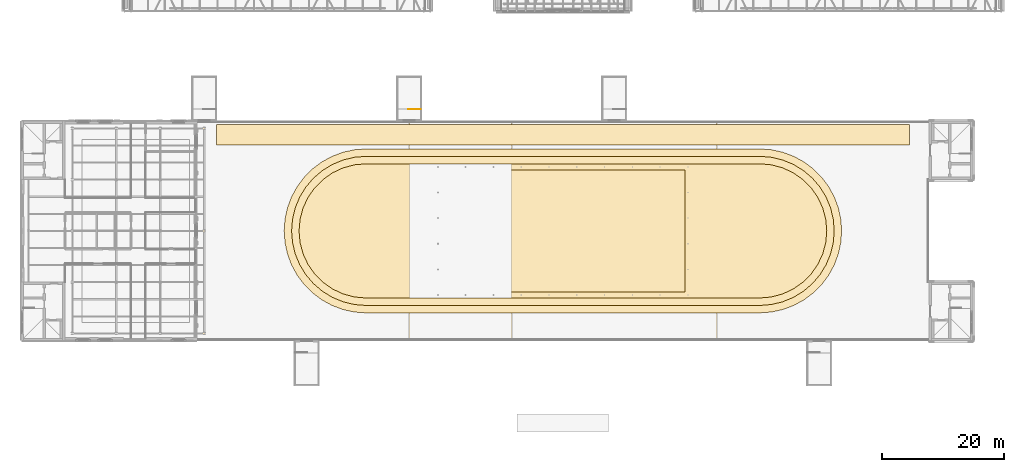
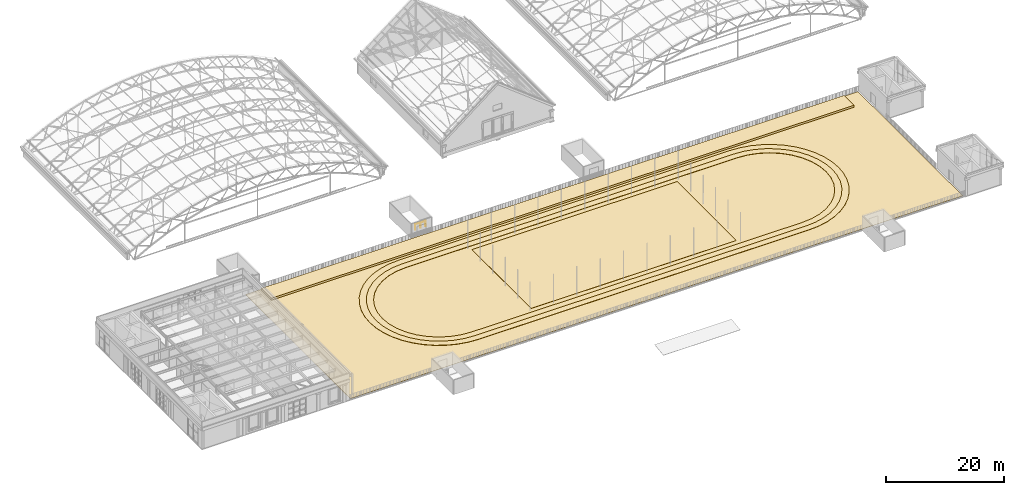
# One storey, part 122 of 127: 6 coverings, 1 railing.
"""IFC4 building model written with IfcOpenShell, lengths in metres."""

from ifc_helpers import new_model, si_unit, direction, frame, origin, origin_2d, place, context, subcontext, project, spatial, polyline, circle, outline, extrude, material, layer, layer_set, type_object, element, save


model = new_model("IFC4")

# Units and contexts
model_context = context("Model", 3, precision=1e-05, world=origin(), true_north=direction((0.0, 1.0)))
body_context = subcontext(model_context, "Body", "Model", "MODEL_VIEW")
ifc_project = project(units=[si_unit("LENGTHUNIT", "METRE"), si_unit("AREAUNIT", "SQUARE_METRE"), si_unit("VOLUMEUNIT", "CUBIC_METRE"), si_unit("PLANEANGLEUNIT", "RADIAN"), si_unit("MASSUNIT", "GRAM", prefix="KILO")], contexts=[model_context])

# Site, building, storey
site_placement = place(None, origin())
site = spatial("IfcSite", under=ifc_project, at=site_placement, CompositionType="ELEMENT")
building_placement = place(site_placement, origin())
building = spatial("IfcBuilding", under=site, at=building_placement, Name="Verrick Yard Athletic Hall", CompositionType="ELEMENT")
storey_placement = place(building_placement, frame((0.0, 0.0, 14.0)))
storey = spatial("IfcBuildingStorey", under=building, at=storey_placement, Name="L03", CompositionType="ELEMENT", Elevation=14.0)

# Coverings
ifc_material_1 = material(Name="Precast concrete paving slabs", Category="concrete")
ifc_layer_1 = layer(ifc_material_1, 0.0400390625)
ifc_layer_set_1 = layer_set([ifc_layer_1], Name="Deck paving")
covering_type_1 = type_object("IfcCoveringType", Name="Deck paving", PredefinedType="FLOORING", material=ifc_layer_set_1)
covering_1_placement = place(storey_placement, origin())
element("IfcCovering", 1, at=covering_1_placement, inside=storey, type_object=covering_type_1, Name="Deck paving 1", PredefinedType="FLOORING", context=body_context, shape_type="SweptSolid", body=[
    extrude(outline(polyline([(39.10009765625, 53.699951171875), (158.5, 53.699951171875), (158.5, 18.300048828125), (39.10009765625, 18.300048828125), (39.10009765625, 53.699951171875)]), holes=[polyline([(132.962646484375, 22.69677734375), (134.83642578125, 23.1044921875), (136.63330078125, 23.7744140625), (138.316162109375, 24.693603515625), (139.851318359375, 25.8427734375), (141.207275390625, 27.19873046875), (142.3564453125, 28.73388671875), (143.275390625, 30.416748046875), (143.945556640625, 32.21337890625), (144.353271484375, 34.08740234375), (144.489990234375, 36.0), (144.353271484375, 37.91259765625), (143.945556640625, 39.78662109375), (143.275390625, 41.583251953125), (142.3564453125, 43.26611328125), (141.207275390625, 44.80126953125), (139.851318359375, 46.1572265625), (138.316162109375, 47.306396484375), (136.63330078125, 48.2255859375), (134.83642578125, 48.8955078125), (132.962646484375, 49.30322265625), (131.050048828125, 49.43994140625), (66.550048828125, 49.43994140625), (64.63720703125, 49.30322265625), (62.763427734375, 48.8955078125), (60.966796875, 48.2255859375), (59.28369140625, 47.306396484375), (57.748779296875, 46.1572265625), (56.392578125, 44.80126953125), (55.24365234375, 43.26611328125), (54.324462890625, 41.583251953125), (53.654296875, 39.78662109375), (53.246826171875, 37.91259765625), (53.110107421875, 36.0), (53.246826171875, 34.08740234375), (53.654296875, 32.21337890625), (54.324462890625, 30.416748046875), (55.24365234375, 28.73388671875), (56.392578125, 27.19873046875), (57.748779296875, 25.8427734375), (59.28369140625, 24.693603515625), (60.966796875, 23.7744140625), (62.763427734375, 23.1044921875), (64.63720703125, 22.69677734375), (66.550048828125, 22.56005859375), (131.050048828125, 22.56005859375), (132.962646484375, 22.69677734375)]), polyline([(155.60009765625, 53.39990234375), (42.0, 53.39990234375), (42.0, 50.0400390625), (155.60009765625, 50.0400390625), (155.60009765625, 53.39990234375)])]), origin(), (0.0, 0.0, 1.0), 0.0400390625),
])
ifc_material_2 = material(Name="Artificial turf")
ifc_layer_2 = layer(ifc_material_2, 0.0400390625)
ifc_layer_set_2 = layer_set([ifc_layer_2], Name="Infield surface")
covering_type_2 = type_object("IfcCoveringType", Name="Infield surface", PredefinedType="FLOORING", material=ifc_layer_set_2)
covering_2_placement = place(storey_placement, origin())
element("IfcCovering", 2, at=covering_2_placement, inside=storey, type_object=covering_type_2, Name="Infield surface 1", PredefinedType="FLOORING", context=body_context, shape_type="SweptSolid", body=[
    extrude(outline(polyline([(64.639892578125, 25.1669921875), (62.787841796875, 25.663330078125), (61.050048828125, 26.4736328125), (59.479248046875, 27.573486328125), (58.12353515625, 28.92919921875), (57.023681640625, 30.5), (56.21337890625, 32.23779296875), (55.717041015625, 34.08984375), (55.550048828125, 36.0), (55.717041015625, 37.91015625), (56.21337890625, 39.76220703125), (57.023681640625, 41.5), (58.12353515625, 43.07080078125), (59.479248046875, 44.426513671875), (61.050048828125, 45.5263671875), (62.787841796875, 46.336669921875), (64.639892578125, 46.8330078125), (66.550048828125, 47.0), (131.050048828125, 47.0), (132.960205078125, 46.8330078125), (134.812255859375, 46.336669921875), (136.550048828125, 45.5263671875), (138.12060546875, 44.426513671875), (139.4765625, 43.07080078125), (140.576416015625, 41.5), (141.38671875, 39.76220703125), (141.8828125, 37.91015625), (142.050048828125, 36.0), (141.8828125, 34.08984375), (141.38671875, 32.23779296875), (140.576416015625, 30.5), (139.4765625, 28.92919921875), (138.12060546875, 27.573486328125), (136.550048828125, 26.4736328125), (134.812255859375, 25.663330078125), (132.960205078125, 25.1669921875), (131.050048828125, 25.0), (66.550048828125, 25.0), (64.639892578125, 25.1669921875)]), holes=[polyline([(118.800048828125, 46.0), (78.800048828125, 46.0), (78.800048828125, 26.0), (118.800048828125, 26.0), (118.800048828125, 46.0)])]), origin(), (0.0, 0.0, 1.0), 0.0400390625),
])
ifc_layer_3 = layer(ifc_material_2, 0.06005859375)
ifc_layer_set_3 = layer_set([ifc_layer_3], Name="Pitch surface")
covering_type_3 = type_object("IfcCoveringType", Name="Pitch surface", PredefinedType="FLOORING", material=ifc_layer_set_3)
covering_3_placement = place(storey_placement, origin())
element("IfcCovering", 3, at=covering_3_placement, inside=storey, type_object=covering_type_3, Name="Roof pitch surface", PredefinedType="FLOORING", context=body_context, shape_type="SweptSolid", body=[
    extrude(outline(polyline([(78.800048828125, 26.0), (118.800048828125, 26.0), (118.800048828125, 46.0), (78.800048828125, 46.0), (78.800048828125, 26.0)])), origin(), (0.0, 0.0, 1.0), 0.06005859375),
])
ifc_material_3 = material(Name="Planting substrate")
ifc_layer_4 = layer(ifc_material_3, 0.449951171875)
ifc_layer_set_4 = layer_set([ifc_layer_4], Name="Roof garden planting layer")
covering_type_4 = type_object("IfcCoveringType", Name="Roof garden planting layer", PredefinedType="FLOORING", material=ifc_layer_set_4)
covering_4_placement = place(storey_placement, origin())
element("IfcCovering", 4, at=covering_4_placement, inside=storey, type_object=covering_type_4, Name="Roof garden planting layer", PredefinedType="FLOORING", context=body_context, shape_type="SweptSolid", body=[
    extrude(outline(polyline([(42.0, 50.0400390625), (155.60009765625, 50.0400390625), (155.60009765625, 53.39990234375), (42.0, 53.39990234375), (42.0, 50.0400390625)])), origin(), (0.0, 0.0, 1.0), 0.449951171875),
])
ifc_material_4 = material(Name="Rubberised athletics track surface")
ifc_layer_5 = layer(ifc_material_4, 0.080078125)
ifc_layer_set_5 = layer_set([ifc_layer_5], Name="Running track surface")
covering_type_5 = type_object("IfcCoveringType", Name="Running track surface", PredefinedType="FLOORING", material=ifc_layer_set_5)
covering_5_placement = place(storey_placement, origin())
element("IfcCovering", 5, at=covering_5_placement, inside=storey, type_object=covering_type_5, Name="Running track lane 1", PredefinedType="FLOORING", context=body_context, shape_type="SweptSolid", body=[
    extrude(outline(polyline([(66.550048828125, 23.780029296875), (131.050048828125, 23.780029296875), (132.961669921875, 23.930419921875), (134.826171875, 24.378173828125), (136.597900390625, 25.11181640625), (138.232666015625, 26.11376953125), (139.69091796875, 27.359130859375), (140.936279296875, 28.8173828125), (141.93798828125, 30.4521484375), (142.671875, 32.223876953125), (143.11962890625, 34.08837890625), (143.27001953125, 36.0), (143.11962890625, 37.91162109375), (142.671875, 39.776123046875), (141.93798828125, 41.5478515625), (140.936279296875, 43.1826171875), (139.69091796875, 44.640869140625), (138.232666015625, 45.88623046875), (136.597900390625, 46.88818359375), (134.826171875, 47.621826171875), (132.961669921875, 48.069580078125), (131.050048828125, 48.219970703125), (66.550048828125, 48.219970703125), (64.638427734375, 48.069580078125), (62.773681640625, 47.621826171875), (61.002197265625, 46.88818359375), (59.3671875, 45.88623046875), (57.9091796875, 44.640869140625), (56.663818359375, 43.1826171875), (55.661865234375, 41.5478515625), (54.927978515625, 39.776123046875), (54.48046875, 37.91162109375), (54.330078125, 36.0), (54.48046875, 34.08837890625), (54.927978515625, 32.223876953125), (55.661865234375, 30.4521484375), (56.663818359375, 28.8173828125), (57.9091796875, 27.359130859375), (59.3671875, 26.11376953125), (61.002197265625, 25.11181640625), (62.773681640625, 24.378173828125), (64.638427734375, 23.930419921875), (66.550048828125, 23.780029296875)]), holes=[polyline([(66.550048828125, 25.0), (131.050048828125, 25.0), (132.960205078125, 25.1669921875), (134.812255859375, 25.663330078125), (136.550048828125, 26.4736328125), (138.12060546875, 27.573486328125), (139.4765625, 28.92919921875), (140.576416015625, 30.5), (141.38671875, 32.23779296875), (141.8828125, 34.08984375), (142.050048828125, 36.0), (141.8828125, 37.91015625), (141.38671875, 39.76220703125), (140.576416015625, 41.5), (139.4765625, 43.07080078125), (138.12060546875, 44.426513671875), (136.550048828125, 45.5263671875), (134.812255859375, 46.336669921875), (132.960205078125, 46.8330078125), (131.050048828125, 47.0), (66.550048828125, 47.0), (64.639892578125, 46.8330078125), (62.787841796875, 46.336669921875), (61.050048828125, 45.5263671875), (59.479248046875, 44.426513671875), (58.12353515625, 43.07080078125), (57.023681640625, 41.5), (56.21337890625, 39.76220703125), (55.717041015625, 37.91015625), (55.550048828125, 36.0), (55.717041015625, 34.08984375), (56.21337890625, 32.23779296875), (57.023681640625, 30.5), (58.12353515625, 28.92919921875), (59.479248046875, 27.573486328125), (61.050048828125, 26.4736328125), (62.787841796875, 25.663330078125), (64.639892578125, 25.1669921875), (66.550048828125, 25.0)])]), origin(), (0.0, 0.0, 1.0), 0.080078125),
])
covering_6_placement = place(storey_placement, origin())
element("IfcCovering", 6, at=covering_6_placement, inside=storey, type_object=covering_type_5, Name="Running track lane 2", PredefinedType="FLOORING", context=body_context, shape_type="SweptSolid", body=[
    extrude(outline(polyline([(66.550048828125, 22.56005859375), (131.050048828125, 22.56005859375), (132.962646484375, 22.69677734375), (134.83642578125, 23.1044921875), (136.63330078125, 23.7744140625), (138.316162109375, 24.693603515625), (139.851318359375, 25.8427734375), (141.207275390625, 27.19873046875), (142.3564453125, 28.73388671875), (143.275390625, 30.416748046875), (143.945556640625, 32.21337890625), (144.353271484375, 34.08740234375), (144.489990234375, 36.0), (144.353271484375, 37.91259765625), (143.945556640625, 39.78662109375), (143.275390625, 41.583251953125), (142.3564453125, 43.26611328125), (141.207275390625, 44.80126953125), (139.851318359375, 46.1572265625), (138.316162109375, 47.306396484375), (136.63330078125, 48.2255859375), (134.83642578125, 48.8955078125), (132.962646484375, 49.30322265625), (131.050048828125, 49.43994140625), (66.550048828125, 49.43994140625), (64.63720703125, 49.30322265625), (62.763427734375, 48.8955078125), (60.966796875, 48.2255859375), (59.28369140625, 47.306396484375), (57.748779296875, 46.1572265625), (56.392578125, 44.80126953125), (55.24365234375, 43.26611328125), (54.324462890625, 41.583251953125), (53.654296875, 39.78662109375), (53.246826171875, 37.91259765625), (53.110107421875, 36.0), (53.246826171875, 34.08740234375), (53.654296875, 32.21337890625), (54.324462890625, 30.416748046875), (55.24365234375, 28.73388671875), (56.392578125, 27.19873046875), (57.748779296875, 25.8427734375), (59.28369140625, 24.693603515625), (60.966796875, 23.7744140625), (62.763427734375, 23.1044921875), (64.63720703125, 22.69677734375), (66.550048828125, 22.56005859375)]), holes=[polyline([(66.550048828125, 23.780029296875), (131.050048828125, 23.780029296875), (132.961669921875, 23.930419921875), (134.826171875, 24.378173828125), (136.597900390625, 25.11181640625), (138.232666015625, 26.11376953125), (139.69091796875, 27.359130859375), (140.936279296875, 28.8173828125), (141.93798828125, 30.4521484375), (142.671875, 32.223876953125), (143.11962890625, 34.08837890625), (143.27001953125, 36.0), (143.11962890625, 37.91162109375), (142.671875, 39.776123046875), (141.93798828125, 41.5478515625), (140.936279296875, 43.1826171875), (139.69091796875, 44.640869140625), (138.232666015625, 45.88623046875), (136.597900390625, 46.88818359375), (134.826171875, 47.621826171875), (132.961669921875, 48.069580078125), (131.050048828125, 48.219970703125), (66.550048828125, 48.219970703125), (64.638427734375, 48.069580078125), (62.773681640625, 47.621826171875), (61.002197265625, 46.88818359375), (59.3671875, 45.88623046875), (57.9091796875, 44.640869140625), (56.663818359375, 43.1826171875), (55.661865234375, 41.5478515625), (54.927978515625, 39.776123046875), (54.48046875, 37.91162109375), (54.330078125, 36.0), (54.48046875, 34.08837890625), (54.927978515625, 32.223876953125), (55.661865234375, 30.4521484375), (56.663818359375, 28.8173828125), (57.9091796875, 27.359130859375), (59.3671875, 26.11376953125), (61.002197265625, 25.11181640625), (62.773681640625, 24.378173828125), (64.638427734375, 23.930419921875), (66.550048828125, 23.780029296875)])]), origin(), (0.0, 0.0, 1.0), 0.080078125),
])

# Railing
ifc_material_5 = material(Name="Stainless steel", Category="steel")
railing_type = type_object("IfcRailingType", Name="Stair and core guard 1100", PredefinedType="GUARDRAIL", material=ifc_material_5)
railing_placement = place(storey_placement, frame((75.5, 55.949951171875, 0.0)))
element("IfcRailing", 7, at=railing_placement, inside=storey, type_object=railing_type, Name="L03 North deck escape 3 top well guard 1", PredefinedType="GUARDRAIL", context=body_context, shape_type="SweptSolid", body=[
    extrude(circle(Radius=0.02392578125, at=origin_2d()), frame((0.0, 0.0, 1.076171875), z_axis=(-1.0, 0.0, 0.0), x_axis=(0.0, -1.0, 0.0)), (0.0, 0.0, 1.0), 2.0),
    extrude(circle(Radius=0.02099609375, at=origin_2d()), origin(), (0.0, 0.0, 1.0), 1.052001953125),
    extrude(circle(Radius=0.02099609375, at=origin_2d()), frame((-1.0, 0.0, 0.0)), (0.0, 0.0, 1.0), 1.052001953125),
    extrude(circle(Radius=0.02099609375, at=origin_2d()), frame((-2.0, 0.0, 0.0)), (0.0, 0.0, 1.0), 1.052001953125),
])

save(model, "model.ifc")
